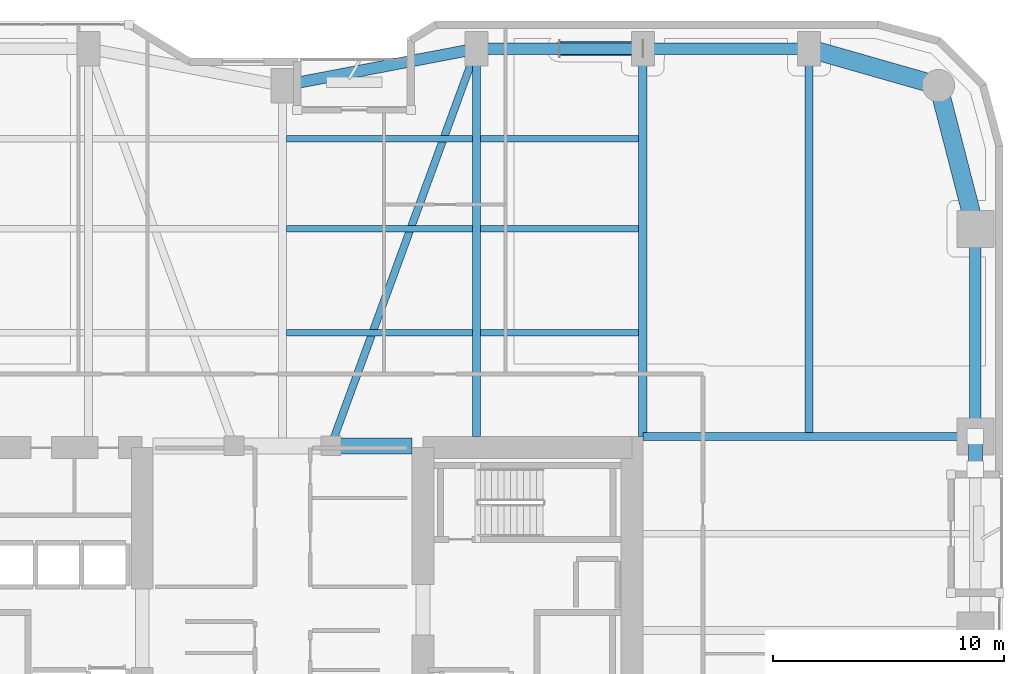
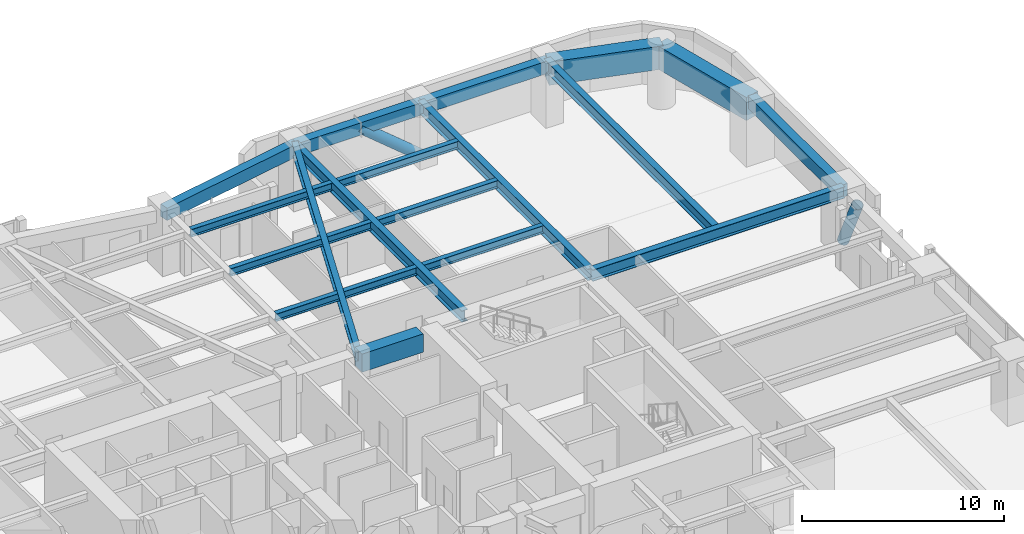
# One storey, part 18 of 29: 18 beams, 2 members.
"""IFC4 building model written with IfcOpenShell, lengths in metres."""

from ifc_helpers import new_model, si_unit, direction, frame, origin, origin_2d, place, context, subcontext, project, spatial, rectangle, hollow_circle, i_section, extrude, material, material_profile, profile_set, type_object, element, save


model = new_model("IFC4")

# Units and contexts
model_context = context("Model", 3, precision=1e-05, world=origin(), true_north=direction((0.0, 1.0)))
body_context = subcontext(model_context, "Body", "Model", "MODEL_VIEW")
ifc_project = project(units=[si_unit("LENGTHUNIT", "METRE"), si_unit("AREAUNIT", "SQUARE_METRE"), si_unit("VOLUMEUNIT", "CUBIC_METRE"), si_unit("PLANEANGLEUNIT", "RADIAN"), si_unit("MASSUNIT", "GRAM", prefix="KILO")], contexts=[model_context])

# Site, building, storey
site_placement = place(None, origin())
site = spatial("IfcSite", under=ifc_project, at=site_placement, CompositionType="ELEMENT")
building_placement = place(site_placement, origin())
building = spatial("IfcBuilding", under=site, at=building_placement, Name="Kiyonajd Concourse Tower", CompositionType="ELEMENT")
storey_placement = place(building_placement, frame((0.0, 0.0, 45.0)))
storey = spatial("IfcBuildingStorey", under=building, at=storey_placement, Name="L12", CompositionType="ELEMENT", Elevation=45.0)

# Beams
ifc_material_1 = material(Name="Concrete C70/85", Category="concrete")
ifc_material_profile_1 = material_profile(ifc_material_1, rectangle(XDim=0.699951171875, YDim=1.10009765625, at=origin_2d()), Name="RCBM-700x1100")
ifc_profile_set_1 = profile_set([ifc_material_profile_1], Name="Concrete C70/85")
beam_type_1 = type_object("IfcBeamType", Name="BM-COUP-1100", PredefinedType="LINTEL", material=ifc_profile_set_1)
beam_1_placement = place(storey_placement, frame((50.10009765625, 44.0, 3.090087890625), z_axis=(1.0, 0.0, 0.0), x_axis=(0.0, 1.0, 0.0)))
element("IfcBeam", 1, at=beam_1_placement, inside=storey, type_object=beam_type_1, Name="L12 Core Coupling Beam N3", PredefinedType="LINTEL", context=body_context, shape_type="SweptSolid", body=[
    extrude(rectangle(XDim=0.699951171875, YDim=1.10009765625, at=origin_2d()), origin(), (0.0, 0.0, 1.0), 3.5),
])
ifc_material_2 = material(Name="Steel ASTM A992 Grade 50", Category="steel")
ifc_material_profile_2 = material_profile(ifc_material_2, i_section(OverallWidth=0.280029296875, OverallDepth=0.462890625, WebThickness=0.0107421875, FlangeThickness=0.017333984375, at=origin_2d()), Name="W460X113")
ifc_profile_set_2 = profile_set([ifc_material_profile_2], Name="Steel ASTM A992 Grade 50")
beam_type_2 = type_object("IfcBeamType", Name="BM-JST-460A", PredefinedType="JOIST", material=ifc_profile_set_2)
beam_2_placement = place(storey_placement, frame((48.177490234375, 48.89990234375, 3.408447265625), z_axis=(1.0, 0.0, 0.0), x_axis=(0.0, 1.0, 0.0)))
element("IfcBeam", 2, at=beam_2_placement, inside=storey, type_object=beam_type_2, Name="L12 Secondary Floor Joist", PredefinedType="JOIST", context=body_context, shape_type="SweptSolid", body=[
    extrude(i_section(OverallWidth=0.280029296875, OverallDepth=0.462890625, WebThickness=0.0107421875, FlangeThickness=0.017333984375, at=origin_2d()), origin(), (0.0, 0.0, 1.0), 8.044921875),
])
beam_3_placement = place(storey_placement, frame((56.577392578125, 48.89990234375, 3.408447265625), z_axis=(1.0, 0.0, 0.0), x_axis=(0.0, 1.0, 0.0)))
element("IfcBeam", 3, at=beam_3_placement, inside=storey, type_object=beam_type_2, Name="L12 Secondary Floor Joist", PredefinedType="JOIST", context=body_context, shape_type="SweptSolid", body=[
    extrude(i_section(OverallWidth=0.280029296875, OverallDepth=0.462890625, WebThickness=0.0107421875, FlangeThickness=0.017333984375, at=origin_2d()), origin(), (0.0, 0.0, 1.0), 6.84521484375),
])
beam_4_placement = place(storey_placement, frame((48.177490234375, 53.39990234375, 3.408447265625), z_axis=(1.0, 0.0, 0.0), x_axis=(0.0, 1.0, 0.0)))
element("IfcBeam", 4, at=beam_4_placement, inside=storey, type_object=beam_type_2, Name="L12 Secondary Floor Joist", PredefinedType="JOIST", context=body_context, shape_type="SweptSolid", body=[
    extrude(i_section(OverallWidth=0.280029296875, OverallDepth=0.462890625, WebThickness=0.0107421875, FlangeThickness=0.017333984375, at=origin_2d()), origin(), (0.0, 0.0, 1.0), 8.044921875),
])
beam_5_placement = place(storey_placement, frame((56.577392578125, 53.39990234375, 3.408447265625), z_axis=(1.0, 0.0, 0.0), x_axis=(0.0, 1.0, 0.0)))
element("IfcBeam", 5, at=beam_5_placement, inside=storey, type_object=beam_type_2, Name="L12 Secondary Floor Joist", PredefinedType="JOIST", context=body_context, shape_type="SweptSolid", body=[
    extrude(i_section(OverallWidth=0.280029296875, OverallDepth=0.462890625, WebThickness=0.0107421875, FlangeThickness=0.017333984375, at=origin_2d()), origin(), (0.0, 0.0, 1.0), 6.84521484375),
])
beam_6_placement = place(storey_placement, frame((48.177490234375, 57.300048828125, 3.408447265625), z_axis=(1.0, 0.0, 0.0), x_axis=(0.0, 1.0, 0.0)))
element("IfcBeam", 6, at=beam_6_placement, inside=storey, type_object=beam_type_2, Name="L12 Secondary Floor Joist", PredefinedType="JOIST", context=body_context, shape_type="SweptSolid", body=[
    extrude(i_section(OverallWidth=0.280029296875, OverallDepth=0.462890625, WebThickness=0.0107421875, FlangeThickness=0.017333984375, at=origin_2d()), origin(), (0.0, 0.0, 1.0), 8.044921875),
])
beam_7_placement = place(storey_placement, frame((56.577392578125, 57.300048828125, 3.408447265625), z_axis=(1.0, 0.0, 0.0), x_axis=(0.0, 1.0, 0.0)))
element("IfcBeam", 7, at=beam_7_placement, inside=storey, type_object=beam_type_2, Name="L12 Secondary Floor Joist", PredefinedType="JOIST", context=body_context, shape_type="SweptSolid", body=[
    extrude(i_section(OverallWidth=0.280029296875, OverallDepth=0.462890625, WebThickness=0.0107421875, FlangeThickness=0.017333984375, at=origin_2d()), origin(), (0.0, 0.0, 1.0), 6.84521484375),
])
ifc_material_3 = material(Name="Precast concrete C50/60", Category="concrete")
ifc_material_profile_3 = material_profile(ifc_material_3, rectangle(XDim=0.5, YDim=0.75, at=origin_2d()), Name="RCBM-500x750")
ifc_profile_set_3 = profile_set([ifc_material_profile_3], Name="Precast concrete C50/60")
beam_type_3 = type_object("IfcBeamType", Name="BM-SPAN-RC", PredefinedType="SPANDREL", material=ifc_profile_set_3)
beam_8_placement = place(storey_placement, frame((78.0, 44.39990234375, 3.264892578125), z_axis=(0.0, 1.0, 0.0), x_axis=(-1.0, 0.0, 0.0)))
element("IfcBeam", 8, at=beam_8_placement, inside=storey, type_object=beam_type_3, Name="L12 Perimeter Bundled Tube Spandrel", PredefinedType="SPANDREL", context=body_context, shape_type="SweptSolid", body=[
    extrude(rectangle(XDim=0.5, YDim=0.75, at=origin_2d()), origin(), (0.0, 0.0, 1.0), 9.0),
])
beam_9_placement = place(storey_placement, frame((70.800048828125, 61.199951171875, 3.264892578125), z_axis=(-1.0, 0.0, 0.0), x_axis=(0.0, -1.0, 0.0)))
element("IfcBeam", 9, at=beam_9_placement, inside=storey, type_object=beam_type_3, Name="L12 Perimeter Bundled Tube Spandrel", PredefinedType="SPANDREL", context=body_context, shape_type="SweptSolid", body=[
    extrude(rectangle(XDim=0.5, YDim=0.75, at=origin_2d()), origin(), (0.0, 0.0, 1.0), 7.199951171875),
])
beam_10_placement = place(storey_placement, frame((63.60009765625, 61.199951171875, 3.264892578125), z_axis=(-1.0, 0.0, 0.0), x_axis=(0.0, -1.0, 0.0)))
element("IfcBeam", 10, at=beam_10_placement, inside=storey, type_object=beam_type_3, Name="L12 Perimeter Bundled Tube Spandrel", PredefinedType="SPANDREL", context=body_context, shape_type="SweptSolid", body=[
    extrude(rectangle(XDim=0.5, YDim=0.75, at=origin_2d()), origin(), (0.0, 0.0, 1.0), 7.2001953125),
])
beam_11_placement = place(storey_placement, frame((56.39990234375, 61.199951171875, 3.264892578125), z_axis=(-0.982341315253, -0.187097675953, 0.0), x_axis=(0.187097675953, -0.982341315253, 0.0)))
element("IfcBeam", 11, at=beam_11_placement, inside=storey, type_object=beam_type_3, Name="L12 Perimeter Bundled Tube Spandrel", PredefinedType="SPANDREL", context=body_context, shape_type="SweptSolid", body=[
    extrude(rectangle(XDim=0.5, YDim=0.75, at=origin_2d()), origin(), (0.0, 0.0, 1.0), 8.55078125),
])
ifc_material_profile_4 = material_profile(ifc_material_2, i_section(OverallWidth=0.326904296875, OverallDepth=0.6220703125, WebThickness=0.015380859375, FlangeThickness=0.0244140625, at=origin_2d()), Name="W610X195")
ifc_profile_set_4 = profile_set([ifc_material_profile_4], Name="Steel ASTM A992 Grade 50")
beam_type_4 = type_object("IfcBeamType", Name="BM-TWR-610A", PredefinedType="BEAM", material=ifc_profile_set_4)
beam_12_placement = place(storey_placement, frame((50.10009765625, 44.0, 3.3291015625), z_axis=(0.343925269715, 0.938997022813, 0.0), x_axis=(-0.938997022813, 0.343925269715, 0.0)))
element("IfcBeam", 12, at=beam_12_placement, inside=storey, type_object=beam_type_4, Name="L12 Core Tie Girder", PredefinedType="BEAM", context=body_context, shape_type="SweptSolid", body=[
    extrude(i_section(OverallWidth=0.326904296875, OverallDepth=0.6220703125, WebThickness=0.015380859375, FlangeThickness=0.0244140625, at=origin_2d()), origin(), (0.0, 0.0, 1.0), 18.3173828125),
])
ifc_material_profile_5 = material_profile(ifc_material_2, i_section(OverallWidth=0.35498046875, OverallDepth=0.695068359375, WebThickness=0.015380859375, FlangeThickness=0.02490234375, at=origin_2d()), Name="W690X217")
ifc_profile_set_5 = profile_set([ifc_material_profile_5], Name="Steel ASTM A992 Grade 50")
beam_type_5 = type_object("IfcBeamType", Name="BM-TWR-690", PredefinedType="BEAM", material=ifc_profile_set_5)
for number, where, z_axis, x_axis, name in (
    (13, (56.39990234375, 44.39990234375, 3.29248046875), (0.0, 1.0, 0.0), (-1.0, 0.0, 0.0), "L12 North Lease Girder"),
    (14, (63.60009765625, 44.39990234375, 3.29248046875), (0.0, 1.0, 0.0), (-1.0, 0.0, 0.0), "L12 North Lease Girder"),
    (15, (70.800048828125, 44.39990234375, 3.29248046875), (0.0, 1.0, 0.0), (-1.0, 0.0, 0.0), "L12 North Lease Girder"),
):
    element("IfcBeam", number, at=place(storey_placement, frame(where, z_axis=z_axis, x_axis=x_axis)), inside=storey, type_object=beam_type_5, Name=name, PredefinedType="BEAM", context=body_context, shape_type="SweptSolid", body=[
        extrude(i_section(OverallWidth=0.35498046875, OverallDepth=0.695068359375, WebThickness=0.015380859375, FlangeThickness=0.02490234375, at=origin_2d()), origin(), (0.0, 0.0, 1.0), 16.800048828125),
    ])
beam_13_placement = place(storey_placement, frame((63.60009765625, 44.39990234375, 3.29248046875), z_axis=(1.0, 0.0, 0.0), x_axis=(0.0, 1.0, 0.0)))
element("IfcBeam", 16, at=beam_13_placement, inside=storey, type_object=beam_type_5, Name="L12 East Lease Girder", PredefinedType="BEAM", context=body_context, shape_type="SweptSolid", body=[
    extrude(i_section(OverallWidth=0.35498046875, OverallDepth=0.695068359375, WebThickness=0.015380859375, FlangeThickness=0.02490234375, at=origin_2d()), origin(), (0.0, 0.0, 1.0), 14.39990234375),
])
ifc_material_4 = material(Name="Concrete C60/75", Category="concrete")
ifc_material_profile_6 = material_profile(ifc_material_4, rectangle(XDim=0.800048828125, YDim=1.39990234375, at=origin_2d()), Name="RCBM-800x1400")
ifc_profile_set_6 = profile_set([ifc_material_profile_6], Name="Concrete C60/75")
beam_type_6 = type_object("IfcBeamType", Name="BM-XFER-RC", PredefinedType="BEAM", material=ifc_profile_set_6)
beam_14_placement = place(storey_placement, frame((78.0, 53.39990234375, 2.93994140625), z_axis=(-0.249884937687, 0.968275538221, 0.0), x_axis=(-0.968275538221, -0.249884937687, 0.0)))
element("IfcBeam", 17, at=beam_14_placement, inside=storey, type_object=beam_type_6, Name="L12 Perimeter Bundled Tube Spandrel", PredefinedType="BEAM", context=body_context, shape_type="SweptSolid", body=[
    extrude(rectangle(XDim=0.800048828125, YDim=1.39990234375, at=origin_2d()), origin(), (0.0, 0.0, 1.0), 6.4033203125),
])
beam_15_placement = place(storey_placement, frame((76.39990234375, 59.60009765625, 2.93994140625), z_axis=(-0.961528693205, 0.274704517878, 0.0), x_axis=(-0.274704517878, -0.961528693205, 0.0)))
element("IfcBeam", 18, at=beam_15_placement, inside=storey, type_object=beam_type_6, Name="L12 Perimeter Bundled Tube Spandrel", PredefinedType="BEAM", context=body_context, shape_type="SweptSolid", body=[
    extrude(rectangle(XDim=0.800048828125, YDim=1.39990234375, at=origin_2d()), origin(), (0.0, 0.0, 1.0), 5.823974609375),
])

# Members
ifc_material_5 = material(Name="Steel ASTM A572 Grade 50", Category="steel")
ifc_material_profile_7 = material_profile(ifc_material_5, hollow_circle(Radius=0.304931640625, WallThickness=0.02490234375, at=origin_2d()), Name="CHS-610x25")
ifc_profile_set_7 = profile_set([ifc_material_profile_7], Name="Steel ASTM A572 Grade 50")
member_type = type_object("IfcMemberType", Name="MB-PB-LOW", PredefinedType="BRACE", material=ifc_profile_set_7)
member_1_placement = place(storey_placement, frame((63.60009765625, 61.199951171875, 0.300048828125), z_axis=(-0.769280705518, 0.0, 0.638910945373), x_axis=(0.0, -1.0, 0.0)))
element("IfcMember", 19, at=member_1_placement, inside=storey, type_object=member_type, Name="L12 Lower Zone Welded Tube Brace PBN", PredefinedType="BRACE", context=body_context, shape_type="SweptSolid", body=[
    extrude(hollow_circle(Radius=0.304931640625, WallThickness=0.02490234375, at=origin_2d()), origin(), (0.0, 0.0, 1.0), 4.679931640625),
])
member_2_placement = place(storey_placement, frame((78.0, 44.39990234375, 0.300048828125), z_axis=(0.0, -0.424022702926, 0.905651559598), x_axis=(1.0, 0.0, 0.0)))
element("IfcMember", 20, at=member_2_placement, inside=storey, type_object=member_type, Name="L12 Lower Zone Welded Tube Brace PBE", PredefinedType="BRACE", context=body_context, shape_type="SweptSolid", body=[
    extrude(hollow_circle(Radius=0.304931640625, WallThickness=0.02490234375, at=origin_2d()), origin(), (0.0, 0.0, 1.0), 3.301513671875),
])

save(model, "model.ifc")
